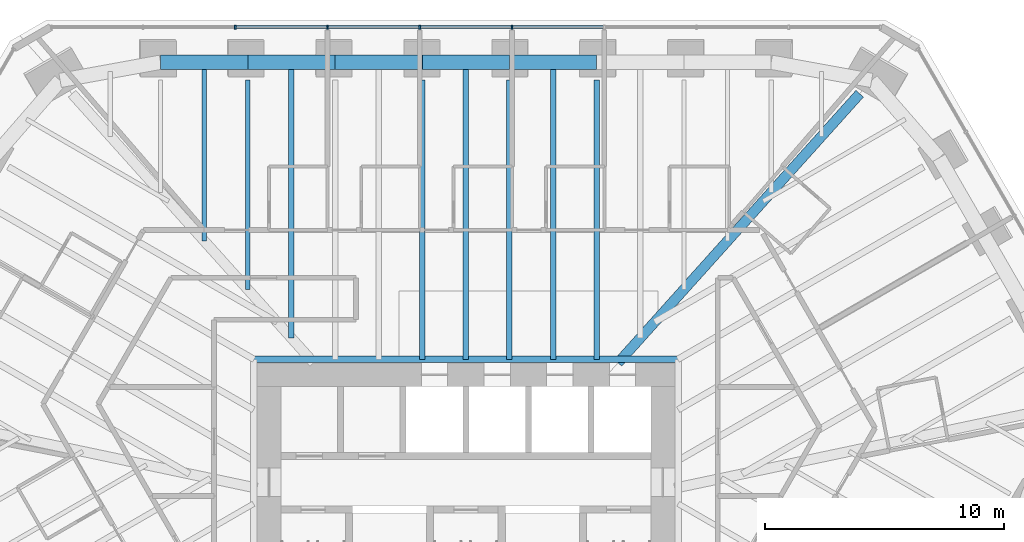
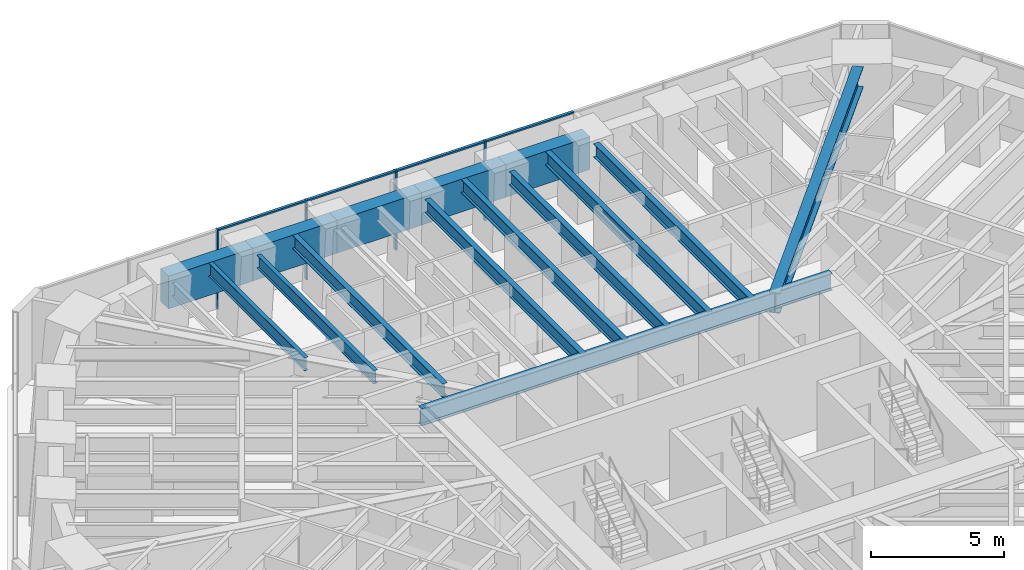
# One storey, part 8 of 17: 15 beams, 8 members, 1 element without a shape of its own.
"""IFC4 building model written with IfcOpenShell, lengths in metres."""

from ifc_helpers import new_model, si_unit, direction, frame, origin, origin_2d, place, context, subcontext, project, spatial, rectangle, i_section, extrude, material, material_profile, profile_set, type_object, element, aggregate, save


model = new_model("IFC4")

# Units and contexts
model_context = context("Model", 3, precision=1e-05, world=origin(), true_north=direction((0.0, 1.0)))
body_context = subcontext(model_context, "Body", "Model", "MODEL_VIEW")
ifc_project = project(units=[si_unit("LENGTHUNIT", "METRE"), si_unit("AREAUNIT", "SQUARE_METRE"), si_unit("VOLUMEUNIT", "CUBIC_METRE"), si_unit("PLANEANGLEUNIT", "RADIAN"), si_unit("MASSUNIT", "GRAM", prefix="KILO")], contexts=[model_context])

# Site, building, storey
site_placement = place(None, origin())
site = spatial("IfcSite", under=ifc_project, at=site_placement, CompositionType="ELEMENT")
building_placement = place(site_placement, origin())
building = spatial("IfcBuilding", under=site, at=building_placement, Name="Sandreach Pilgrim Tower", CompositionType="ELEMENT")
storey_placement = place(building_placement, frame((0.0, 0.0, 232.60009765625)))
storey = spatial("IfcBuildingStorey", under=building, at=storey_placement, Name="L58", CompositionType="ELEMENT", Elevation=232.60009765625)

# Curtain wall, members
ifc_material_1 = material(Name="Aluminium framed curtain wall", Category="aluminium")
curtain_wall_type = type_object("IfcCurtainWallType", Name="Upper hotel tower curtain wall", PredefinedType="NOTDEFINED", material=ifc_material_1)
curtain_wall_placement = place(storey_placement, origin())
curtain_wall = element("IfcCurtainWall", 1, at=curtain_wall_placement, inside=storey, type_object=curtain_wall_type, Name="CW-3 L58 N", PredefinedType="NOTDEFINED")
ifc_material_2 = material(Name="Aluminium extrusion", Category="aluminium")
ifc_material_profile_1 = material_profile(ifc_material_2, rectangle(XDim=0.06494140625, YDim=0.159912109375, at=origin_2d()), Name="CW-3M 65X160")
ifc_profile_set_1 = profile_set([ifc_material_profile_1], Name="Aluminium extrusion")
member_type_1 = type_object("IfcMemberType", Name="CW-3 mullion", PredefinedType="MULLION", material=ifc_profile_set_1)
member_1_placement = place(storey_placement, frame((-9.6611328125, 21.16015625, 0.0), z_axis=(0.0, 0.0, 1.0), x_axis=(1.0, 0.0, 0.0)))
member_1 = element("IfcMember", 2, at=member_1_placement, type_object=member_type_1, Name="CW-3 mullion 3", PredefinedType="MULLION", context=body_context, shape_type="SweptSolid", body=[
    extrude(rectangle(XDim=0.06494140625, YDim=0.159912109375, at=origin_2d()), origin(), (0.0, 0.0, 1.0), 3.639892578125),
])
member_2_placement = place(storey_placement, frame((-5.796630859375, 21.16015625, 0.0), z_axis=(0.0, 0.0, 1.0), x_axis=(1.0, 0.0, 0.0)))
member_2 = element("IfcMember", 3, at=member_2_placement, type_object=member_type_1, Name="CW-3 mullion 4", PredefinedType="MULLION", context=body_context, shape_type="SweptSolid", body=[
    extrude(rectangle(XDim=0.06494140625, YDim=0.159912109375, at=origin_2d()), origin(), (0.0, 0.0, 1.0), 3.639892578125),
])
member_3_placement = place(storey_placement, frame((-1.93212890625, 21.16015625, 0.0), z_axis=(0.0, 0.0, 1.0), x_axis=(1.0, 0.0, 0.0)))
member_3 = element("IfcMember", 4, at=member_3_placement, type_object=member_type_1, Name="CW-3 mullion 5", PredefinedType="MULLION", context=body_context, shape_type="SweptSolid", body=[
    extrude(rectangle(XDim=0.06494140625, YDim=0.159912109375, at=origin_2d()), origin(), (0.0, 0.0, 1.0), 3.639892578125),
])
member_4_placement = place(storey_placement, frame((1.93212890625, 21.16015625, 0.0), z_axis=(0.0, 0.0, 1.0), x_axis=(1.0, 0.0, 0.0)))
member_4 = element("IfcMember", 5, at=member_4_placement, type_object=member_type_1, Name="CW-3 mullion 6", PredefinedType="MULLION", context=body_context, shape_type="SweptSolid", body=[
    extrude(rectangle(XDim=0.06494140625, YDim=0.159912109375, at=origin_2d()), origin(), (0.0, 0.0, 1.0), 3.639892578125),
])
ifc_material_3 = material(Name="Aluminium extrusion", Category="aluminium")
ifc_material_profile_2 = material_profile(ifc_material_3, rectangle(XDim=0.1201171875, YDim=0.070068359375, at=origin_2d()), Name="CW-3T 120X70")
ifc_profile_set_2 = profile_set([ifc_material_profile_2], Name="Aluminium extrusion")
member_type_2 = type_object("IfcMemberType", Name="CW-3 transom", PredefinedType="USERDEFINED", material=ifc_profile_set_2)
member_5_placement = place(storey_placement, frame((-9.628662109375, 21.16015625, 3.60498046875), z_axis=(1.0, 0.0, 0.0), x_axis=(0.0, 1.0, 0.0)))
member_5 = element("IfcMember", 6, at=member_5_placement, type_object=member_type_2, Name="CW-3 head transom 3", ObjectType="TRANSOM", PredefinedType="USERDEFINED", context=body_context, shape_type="SweptSolid", body=[
    extrude(rectangle(XDim=0.1201171875, YDim=0.070068359375, at=origin_2d()), origin(), (0.0, 0.0, 1.0), 3.799560546875),
])
member_6_placement = place(storey_placement, frame((-5.76416015625, 21.16015625, 3.60498046875), z_axis=(1.0, 0.0, 0.0), x_axis=(0.0, 1.0, 0.0)))
member_6 = element("IfcMember", 7, at=member_6_placement, type_object=member_type_2, Name="CW-3 head transom 4", ObjectType="TRANSOM", PredefinedType="USERDEFINED", context=body_context, shape_type="SweptSolid", body=[
    extrude(rectangle(XDim=0.1201171875, YDim=0.070068359375, at=origin_2d()), origin(), (0.0, 0.0, 1.0), 3.799560546875),
])
member_7_placement = place(storey_placement, frame((-1.899658203125, 21.16015625, 3.60498046875), z_axis=(1.0, 0.0, 0.0), x_axis=(0.0, 1.0, 0.0)))
member_7 = element("IfcMember", 8, at=member_7_placement, type_object=member_type_2, Name="CW-3 head transom 5", ObjectType="TRANSOM", PredefinedType="USERDEFINED", context=body_context, shape_type="SweptSolid", body=[
    extrude(rectangle(XDim=0.1201171875, YDim=0.070068359375, at=origin_2d()), origin(), (0.0, 0.0, 1.0), 3.79931640625),
])
member_8_placement = place(storey_placement, frame((1.964599609375, 21.16015625, 3.60498046875), z_axis=(1.0, 0.0, 0.0), x_axis=(0.0, 1.0, 0.0)))
member_8 = element("IfcMember", 9, at=member_8_placement, type_object=member_type_2, Name="CW-3 head transom 6", ObjectType="TRANSOM", PredefinedType="USERDEFINED", context=body_context, shape_type="SweptSolid", body=[
    extrude(rectangle(XDim=0.1201171875, YDim=0.070068359375, at=origin_2d()), origin(), (0.0, 0.0, 1.0), 3.799560546875),
])
aggregate(curtain_wall, [member_1, member_2, member_3, member_4, member_5, member_6, member_7, member_8])

# Beams
ifc_material_4 = material(Name="Steel ASTM A992 Grade 50", Category="steel")
ifc_material_profile_3 = material_profile(ifc_material_4, i_section(OverallWidth=0.2666015625, OverallDepth=0.77978515625, WebThickness=0.0166015625, FlangeThickness=0.030029296875, at=origin_2d()), Name="W30X148")
ifc_profile_set_3 = profile_set([ifc_material_profile_3], Name="Steel ASTM A992 Grade 50")
beam_type_1 = type_object("IfcBeamType", Name="Core edge beam W30X148", PredefinedType="BEAM", material=ifc_profile_set_3)
beam_1_placement = place(storey_placement, frame((-8.893310546875, 7.243408203125, 3.25), z_axis=(1.0, 0.0, 0.0), x_axis=(0.0, 1.0, 0.0)))
element("IfcBeam", 10, at=beam_1_placement, inside=storey, type_object=beam_type_1, Name="BM L58 CEN", PredefinedType="BEAM", context=body_context, shape_type="SweptSolid", body=[
    extrude(i_section(OverallWidth=0.2666015625, OverallDepth=0.77978515625, WebThickness=0.0166015625, FlangeThickness=0.030029296875, at=origin_2d()), origin(), (0.0, 0.0, 1.0), 17.78662109375),
])
ifc_material_5 = material(Name="Steel ASTM A992 Grade 50", Category="steel")
ifc_material_profile_4 = material_profile(ifc_material_5, i_section(OverallWidth=0.421630859375, OverallDepth=0.937255859375, WebThickness=0.0224609375, FlangeThickness=0.039794921875, at=origin_2d()), Name="W36X282")
ifc_profile_set_4 = profile_set([ifc_material_profile_4], Name="Steel ASTM A992 Grade 50")
beam_type_2 = type_object("IfcBeamType", Name="Corner girder W36X282", PredefinedType="BEAM", material=ifc_profile_set_4)
beam_2_placement = place(storey_placement, frame((16.49609375, 18.37109375, 3.17138671875), z_axis=(-0.668114812204, -0.744058195113, 0.0), x_axis=(0.744058195113, -0.668114812204, 0.0)))
element("IfcBeam", 11, at=beam_2_placement, inside=storey, type_object=beam_type_2, Name="BM L58 CG09", PredefinedType="BEAM", context=body_context, shape_type="SweptSolid", body=[
    extrude(i_section(OverallWidth=0.421630859375, OverallDepth=0.937255859375, WebThickness=0.0224609375, FlangeThickness=0.039794921875, at=origin_2d()), origin(), (0.0, 0.0, 1.0), 15.14794921875),
])
ifc_material_6 = material(Name="Steel ASTM A992 Grade 50", Category="steel")
ifc_material_profile_5 = material_profile(ifc_material_6, i_section(OverallWidth=0.1787109375, OverallDepth=0.60205078125, WebThickness=0.010986328125, FlangeThickness=0.014892578125, at=origin_2d()), Name="W24X62")
ifc_profile_set_5 = profile_set([ifc_material_profile_5], Name="Steel ASTM A992 Grade 50")
beam_type_3 = type_object("IfcBeamType", Name="Floor beam W24X62", PredefinedType="BEAM", material=ifc_profile_set_5)
beam_3_placement = place(storey_placement, frame((-9.134765625, 18.9423828125, 3.3388671875), z_axis=(0.0, -1.0, 0.0), x_axis=(1.0, 0.0, 0.0)))
element("IfcBeam", 12, at=beam_3_placement, inside=storey, type_object=beam_type_3, Name="BM L58 F02", PredefinedType="BEAM", context=body_context, shape_type="SweptSolid", body=[
    extrude(i_section(OverallWidth=0.1787109375, OverallDepth=0.60205078125, WebThickness=0.010986328125, FlangeThickness=0.014892578125, at=origin_2d()), origin(), (0.0, 0.0, 1.0), 8.769287109375),
])
beam_4_placement = place(storey_placement, frame((-10.9619140625, 19.6923828125, 3.3388671875), z_axis=(0.0, -1.0, 0.0), x_axis=(1.0, 0.0, 0.0)))
element("IfcBeam", 13, at=beam_4_placement, inside=storey, type_object=beam_type_3, Name="BM L58 FM01", PredefinedType="BEAM", context=body_context, shape_type="SweptSolid", body=[
    extrude(i_section(OverallWidth=0.1787109375, OverallDepth=0.60205078125, WebThickness=0.010986328125, FlangeThickness=0.014892578125, at=origin_2d()), origin(), (0.0, 0.0, 1.0), 7.484619140625),
])
ifc_material_7 = material(Name="Steel ASTM A992 Grade 50", Category="steel")
ifc_material_profile_6 = material_profile(ifc_material_7, i_section(OverallWidth=0.23046875, OverallDepth=0.6171875, WebThickness=0.01318359375, FlangeThickness=0.022216796875, at=origin_2d()), Name="W24X94")
ifc_profile_set_6 = profile_set([ifc_material_profile_6], Name="Steel ASTM A992 Grade 50")
beam_type_4 = type_object("IfcBeamType", Name="Floor beam W24X94", PredefinedType="BEAM", material=ifc_profile_set_6)
for number, where, z_axis, x_axis, name in (
    (14, (-1.826904296875, 18.9423828125, 3.331298828125), (0.0, -1.0, 0.0), (1.0, 0.0, 0.0), "BM L58 F04"),
    (15, (1.826904296875, 18.9423828125, 3.331298828125), (0.0, -1.0, 0.0), (1.0, 0.0, 0.0), "BM L58 F05"),
    (16, (5.48095703125, 18.9423828125, 3.331298828125), (0.0, -1.0, 0.0), (1.0, 0.0, 0.0), "BM L58 F06"),
):
    element("IfcBeam", number, at=place(storey_placement, frame(where, z_axis=z_axis, x_axis=x_axis)), inside=storey, type_object=beam_type_4, Name=name, PredefinedType="BEAM", context=body_context, shape_type="SweptSolid", body=[
        extrude(i_section(OverallWidth=0.23046875, OverallDepth=0.6171875, WebThickness=0.01318359375, FlangeThickness=0.022216796875, at=origin_2d()), origin(), (0.0, 0.0, 1.0), 11.698974609375),
    ])
beam_5_placement = place(storey_placement, frame((-7.307861328125, 19.6923828125, 3.331298828125), z_axis=(0.0, -1.0, 0.0), x_axis=(1.0, 0.0, 0.0)))
element("IfcBeam", 17, at=beam_5_placement, inside=storey, type_object=beam_type_4, Name="BM L58 FM02", PredefinedType="BEAM", context=body_context, shape_type="SweptSolid", body=[
    extrude(i_section(OverallWidth=0.23046875, OverallDepth=0.6171875, WebThickness=0.01318359375, FlangeThickness=0.022216796875, at=origin_2d()), origin(), (0.0, 0.0, 1.0), 11.553955078125),
])
for number, where, z_axis, x_axis, name in (
    (18, (0.0, 19.6923828125, 3.331298828125), (0.0, -1.0, 0.0), (1.0, 0.0, 0.0), "BM L58 FM04"),
    (19, (3.654052734375, 19.6923828125, 3.331298828125), (0.0, -1.0, 0.0), (1.0, 0.0, 0.0), "BM L58 FM05"),
):
    element("IfcBeam", number, at=place(storey_placement, frame(where, z_axis=z_axis, x_axis=x_axis)), inside=storey, type_object=beam_type_4, Name=name, PredefinedType="BEAM", context=body_context, shape_type="SweptSolid", body=[
        extrude(i_section(OverallWidth=0.23046875, OverallDepth=0.6171875, WebThickness=0.01318359375, FlangeThickness=0.022216796875, at=origin_2d()), origin(), (0.0, 0.0, 1.0), 12.448974609375),
    ])
ifc_material_8 = material(Name="Concrete 10000 psi", Category="concrete")
ifc_material_profile_7 = material_profile(ifc_material_8, rectangle(XDim=0.60009765625, YDim=1.5, at=origin_2d()), Name="RC600X1500")
ifc_profile_set_7 = profile_set([ifc_material_profile_7], Name="Concrete 10000 psi")
beam_type_5 = type_object("IfcBeamType", Name="Spandrel beam RC600X1500", PredefinedType="SPANDREL", material=ifc_profile_set_7)
beam_6_placement = place(storey_placement, frame((-12.788818359375, 19.6923828125, 2.889892578125), z_axis=(1.0, 0.0, 0.0), x_axis=(0.0, 1.0, 0.0)))
element("IfcBeam", 20, at=beam_6_placement, inside=storey, type_object=beam_type_5, Name="BM L58 SP01", PredefinedType="SPANDREL", context=body_context, shape_type="SweptSolid", body=[
    extrude(rectangle(XDim=0.60009765625, YDim=1.5, at=origin_2d()), origin(), (0.0, 0.0, 1.0), 3.654052734375),
])
beam_7_placement = place(storey_placement, frame((-9.134765625, 19.6923828125, 2.889892578125), z_axis=(1.0, 0.0, 0.0), x_axis=(0.0, 1.0, 0.0)))
element("IfcBeam", 21, at=beam_7_placement, inside=storey, type_object=beam_type_5, Name="BM L58 SP02", PredefinedType="SPANDREL", context=body_context, shape_type="SweptSolid", body=[
    extrude(rectangle(XDim=0.60009765625, YDim=1.5, at=origin_2d()), origin(), (0.0, 0.0, 1.0), 3.65380859375),
])
beam_8_placement = place(storey_placement, frame((-5.48095703125, 19.6923828125, 2.889892578125), z_axis=(1.0, 0.0, 0.0), x_axis=(0.0, 1.0, 0.0)))
element("IfcBeam", 22, at=beam_8_placement, inside=storey, type_object=beam_type_5, Name="BM L58 SP03", PredefinedType="SPANDREL", context=body_context, shape_type="SweptSolid", body=[
    extrude(rectangle(XDim=0.60009765625, YDim=1.5, at=origin_2d()), origin(), (0.0, 0.0, 1.0), 3.654052734375),
])
beam_9_placement = place(storey_placement, frame((-1.826904296875, 19.6923828125, 2.889892578125), z_axis=(1.0, 0.0, 0.0), x_axis=(0.0, 1.0, 0.0)))
element("IfcBeam", 23, at=beam_9_placement, inside=storey, type_object=beam_type_5, Name="BM L58 SP04", PredefinedType="SPANDREL", context=body_context, shape_type="SweptSolid", body=[
    extrude(rectangle(XDim=0.60009765625, YDim=1.5, at=origin_2d()), origin(), (0.0, 0.0, 1.0), 3.65380859375),
])
beam_10_placement = place(storey_placement, frame((1.826904296875, 19.6923828125, 2.889892578125), z_axis=(1.0, 0.0, 0.0), x_axis=(0.0, 1.0, 0.0)))
element("IfcBeam", 24, at=beam_10_placement, inside=storey, type_object=beam_type_5, Name="BM L58 SP05", PredefinedType="SPANDREL", context=body_context, shape_type="SweptSolid", body=[
    extrude(rectangle(XDim=0.60009765625, YDim=1.5, at=origin_2d()), origin(), (0.0, 0.0, 1.0), 3.654052734375),
])

save(model, "model.ifc")
